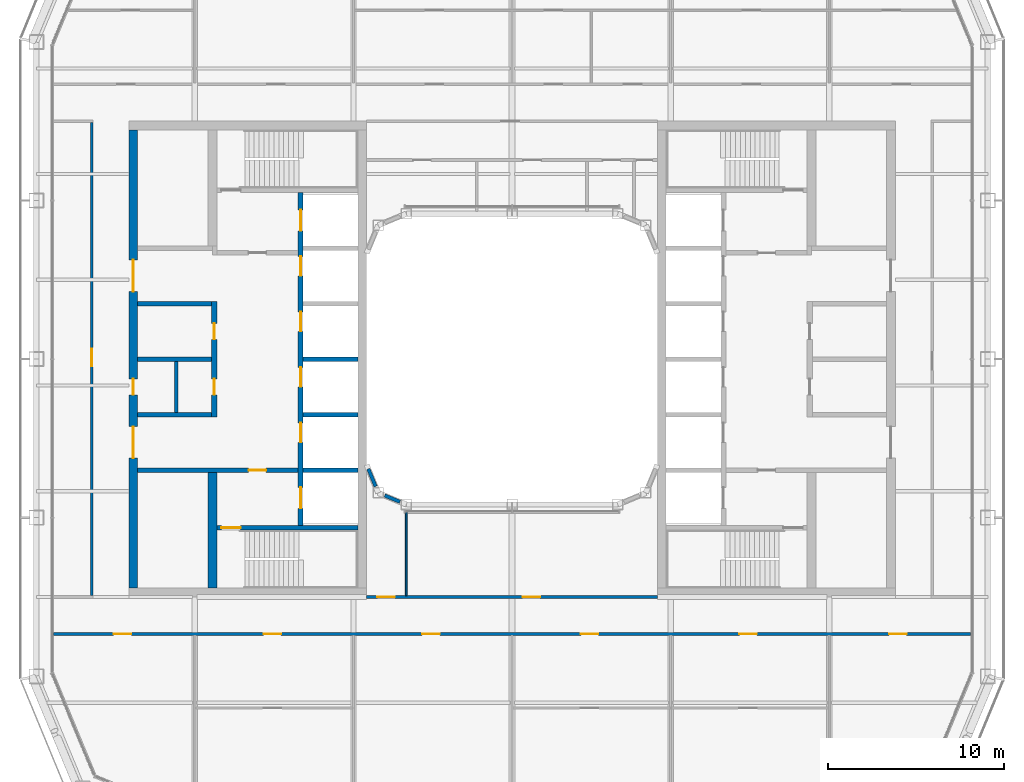
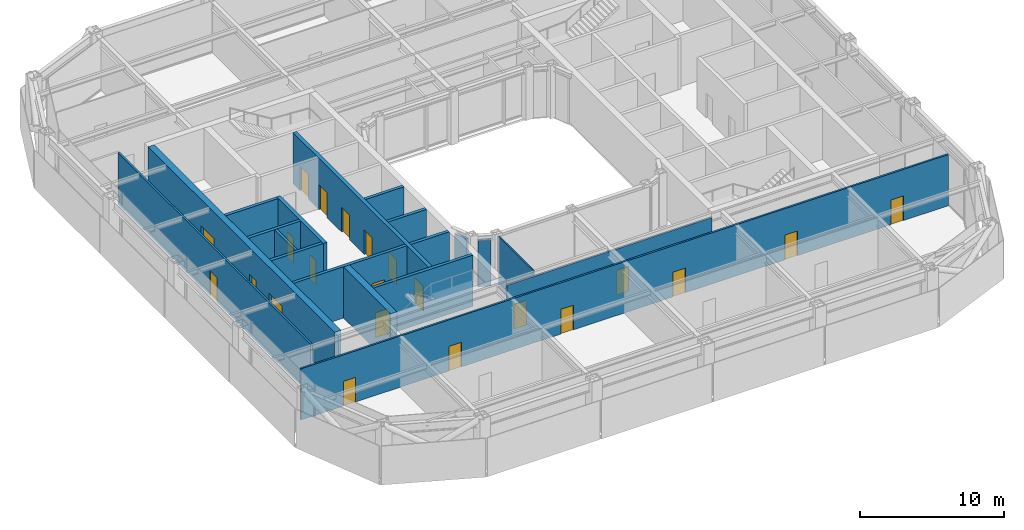
# One storey, part 12 of 19: 22 doors, 19 walls, 22 openings.
"""IFC4 building model written with IfcOpenShell, lengths in metres."""

import ifcopenshell
import ifcopenshell.guid

model = None  # the IFC model being written
_history = None  # IfcOwnerHistory: only IFC2X3 demands one
_inside = {}  # id of a spatial element -> (the spatial element, [elements in it])
_under = {}  # id of a project, library or spatial element -> (it, [spatial elements below it])
_declared = {}  # id of a project -> (the project, [libraries it declares])
_typed = {}  # id of a type object -> (the type object, [elements of that type])
_made_of = {}  # id of a material, layer set ... -> (it, [elements and type objects made of it])


def new_model(schema):
    """Start an empty IFC model of exactly this schema.

    Asked for "IFC4X3", IfcOpenShell would pick the latest addendum, in which some entities
    have other attributes; the version numbers below select the first issue.
    IFC2X3 requires an IfcOwnerHistory on every rooted entity: one is made here for all.
    """
    global model, _history
    if schema == "IFC4X3":
        model = ifcopenshell.file(schema_version=(4, 3, 0, 0))
    else:
        model = ifcopenshell.file(schema=schema)
    _inside.clear()
    _under.clear()
    _declared.clear()
    _typed.clear()
    _made_of.clear()
    _history = None
    if model.schema == "IFC2X3":
        org = make("IfcOrganization", Name="unknown")
        user = make(
            "IfcPersonAndOrganization",
            ThePerson=make("IfcPerson", FamilyName="unknown"),
            TheOrganization=org,
        )
        app = make(
            "IfcApplication",
            ApplicationDeveloper=org,
            Version="unknown",
            ApplicationFullName="unknown",
            ApplicationIdentifier="unknown",
        )
        _history = make(
            "IfcOwnerHistory",
            OwningUser=user,
            OwningApplication=app,
            ChangeAction="ADDED",
            CreationDate=0,
        )
    return model


def make(cls, **values):
    """One entity of the class cls with the attributes given. An attribute that is None is left unset."""
    return model.create_entity(
        cls, **{name: value for name, value in values.items() if value is not None}
    )


def rooted(cls, **values):
    """An entity with a GlobalId (a new one), such as an element, a storey or a relation."""
    return make(cls, GlobalId=ifcopenshell.guid.new(), OwnerHistory=_history, **values)


def si_unit(unit_type, name, prefix=None):
    """IfcSIUnit, for example si_unit("LENGTHUNIT", "METRE", prefix="MILLI")."""
    return make("IfcSIUnit", UnitType=unit_type, Prefix=prefix, Name=name)


def assignment(units):
    """IfcUnitAssignment: the units of a project."""
    return None if units is None else make("IfcUnitAssignment", Units=units)


def point(xyz):
    """IfcCartesianPoint."""
    return None if xyz is None else make("IfcCartesianPoint", Coordinates=xyz)


def direction(xyz):
    """IfcDirection."""
    return None if xyz is None else make("IfcDirection", DirectionRatios=xyz)


def frame(location, z_axis=None, x_axis=None):
    """IfcAxis2Placement3D, a coordinate frame: its origin and axes. An axis left out is left unset."""
    return make(
        "IfcAxis2Placement3D",
        Location=point(location),
        Axis=direction(z_axis),
        RefDirection=direction(x_axis),
    )


def frame_2d(location, x_axis=None):
    """IfcAxis2Placement2D, a coordinate frame in the plane: its origin and x axis."""
    return make(
        "IfcAxis2Placement2D", Location=point(location), RefDirection=direction(x_axis)
    )


def origin():
    """The frame at (0, 0, 0) with its axes left unset."""
    return frame((0.0, 0.0, 0.0))


def place(relative_to, where):
    """IfcLocalPlacement: puts the frame where relative to a parent placement (None: the world)."""
    return make(
        "IfcLocalPlacement", PlacementRelTo=relative_to, RelativePlacement=where
    )


def context(
    kind, dimensions, precision=None, world=None, true_north=None, identifier=None
):
    """IfcGeometricRepresentationContext, for example the 3D "Model" context."""
    return make(
        "IfcGeometricRepresentationContext",
        ContextIdentifier=identifier,
        ContextType=kind,
        CoordinateSpaceDimension=dimensions,
        Precision=precision,
        WorldCoordinateSystem=world,
        TrueNorth=true_north,
    )


def subcontext(parent, identifier, kind, view, scale=None):
    """IfcGeometricRepresentationSubContext, for example "Body" below "Model"."""
    return make(
        "IfcGeometricRepresentationSubContext",
        ContextIdentifier=identifier,
        ContextType=kind,
        ParentContext=parent,
        TargetScale=scale,
        TargetView=view,
    )


def project(units=None, contexts=None):
    """IfcProject with its units and contexts."""
    return rooted(
        "IfcProject",
        Name="project",
        RepresentationContexts=contexts,
        UnitsInContext=assignment(units),
    )


def spatial(cls, under=None, at=None, **own):
    """A site, building, storey or space (cls), placed at a placement, below another one or the project."""
    s = rooted(cls, ObjectPlacement=at, **own)
    if under is not None:
        _under.setdefault(under.id(), (under, []))[1].append(s)
    return s


def profile(cls, at=None, kind="AREA", **sizes):
    """A parametric profile (cls). Its sizes go by their IFC names, for example OverallWidth=200.0."""
    return make(cls, ProfileType=kind, Position=at, **sizes)


def rectangle(**sizes):
    """IfcRectangleProfileDef."""
    return profile("IfcRectangleProfileDef", **sizes)


def extrude(swept, where, along, depth):
    """IfcExtrudedAreaSolid: the profile swept, set in the frame where, extruded along a direction by depth."""
    return make(
        "IfcExtrudedAreaSolid",
        SweptArea=swept,
        Position=where,
        ExtrudedDirection=direction(along),
        Depth=depth,
    )


def shape(context_of_items, identifier, shape_type, items):
    """IfcShapeRepresentation: the items that make up one representation, for example the "Body"."""
    return make(
        "IfcShapeRepresentation",
        ContextOfItems=context_of_items,
        RepresentationIdentifier=identifier,
        RepresentationType=shape_type,
        Items=items,
    )


def material(Name=None, Category=None):
    """IfcMaterial."""
    return make("IfcMaterial", Name=Name, Category=Category)


def layer(
    of_material, thickness, ventilated=None, Name=None, Category=None, Priority=None
):
    """IfcMaterialLayer: one layer of a wall or slab, of a material (None: an air gap)."""
    return make(
        "IfcMaterialLayer",
        Material=of_material,
        LayerThickness=thickness,
        IsVentilated=ventilated,
        Name=Name,
        Category=Category,
        Priority=Priority,
    )


def layer_set(layers, Name=None):
    """IfcMaterialLayerSet."""
    return make("IfcMaterialLayerSet", MaterialLayers=layers, LayerSetName=Name)


def made_of(thing, what):
    """Note that an element or type object is made of a material, layer set ...; save() writes the relation."""
    if what is not None:
        _made_of.setdefault(what.id(), (what, []))[1].append(thing)
    return thing


def type_object(cls, material=None, **own):
    """A type object (cls), such as IfcWallType, which elements share."""
    return made_of(rooted(cls, **own), material)


def element(
    cls,
    number,
    at=None,
    inside=None,
    cuts=None,
    type_object=None,
    material=None,
    context=None,
    identifier="Body",
    shape_type=None,
    held_by="IfcProductDefinitionShape",
    body=None,
    shapes=None,
    **own,
):
    """One element of the class cls, such as IfcWall. Its Tag is "e" and its number.

    at: its placement. inside: the storey or other place that contains it. cuts: it is an
    opening in that element (IfcRelVoidsElement). A single representation is given by context,
    identifier, shape_type and body (its items); several are given by shapes. held_by: the class
    of the entity that holds the representations. save() writes the other relations.
    """
    e = rooted(cls, Tag="e%d" % number, ObjectPlacement=at, **own)
    if body is not None:
        shapes = [shape(context, identifier, shape_type, body)]
    if shapes is not None:
        e.Representation = make(held_by, Representations=shapes)
    if inside is not None:
        _inside.setdefault(inside.id(), (inside, []))[1].append(e)
    if cuts is not None:
        rooted(
            "IfcRelVoidsElement", RelatingBuildingElement=cuts, RelatedOpeningElement=e
        )
    if type_object is not None:
        _typed.setdefault(type_object.id(), (type_object, []))[1].append(e)
    return made_of(e, material)


def fill(opening, filler):
    """IfcRelFillsElement: the door or window that sits in an opening."""
    return rooted(
        "IfcRelFillsElement",
        RelatingOpeningElement=opening,
        RelatedBuildingElement=filler,
    )


def aggregate(whole, parts):
    """IfcRelAggregates: a whole, such as a stair, and the parts it consists of."""
    return rooted("IfcRelAggregates", RelatingObject=whole, RelatedObjects=parts)


def save(model, path):
    """Write the relations noted so far, then the file.

    IfcRelAggregates (storeys below a building ...), IfcRelContainedInSpatialStructure (elements
    in a storey), IfcRelDefinesByType, IfcRelAssociatesMaterial and IfcRelDeclares: one each for
    every whole, place, type object, material and project.
    """
    for whole, parts in _under.values():
        aggregate(whole, parts)
    for where, things in _inside.values():
        rooted(
            "IfcRelContainedInSpatialStructure",
            RelatedElements=things,
            RelatingStructure=where,
        )
    for kind, things in _typed.values():
        rooted("IfcRelDefinesByType", RelatedObjects=things, RelatingType=kind)
    for what, things in _made_of.values():
        rooted("IfcRelAssociatesMaterial", RelatedObjects=things, RelatingMaterial=what)
    for by, libraries in _declared.values():
        rooted("IfcRelDeclares", RelatingContext=by, RelatedDefinitions=libraries)
    model.write(path)


model = new_model("IFC4")

# Units and contexts
model_context = context("Model", 3, precision=1e-05, world=origin(), true_north=direction((0.0, 1.0)))
body_context = subcontext(model_context, "Body", "Model", "MODEL_VIEW")
ifc_project = project(units=[si_unit("LENGTHUNIT", "METRE"), si_unit("AREAUNIT", "SQUARE_METRE"), si_unit("VOLUMEUNIT", "CUBIC_METRE"), si_unit("PLANEANGLEUNIT", "RADIAN"), si_unit("MASSUNIT", "GRAM", prefix="KILO")], contexts=[model_context])

# Site, building, storey
site_placement = place(None, origin())
site = spatial("IfcSite", under=ifc_project, at=site_placement, CompositionType="ELEMENT")
building_placement = place(site_placement, origin())
building = spatial("IfcBuilding", under=site, at=building_placement, Name="Siwar Civic Tower", CompositionType="ELEMENT")
storey_placement = place(building_placement, frame((0.0, 0.0, 192.699951171875)))
storey = spatial("IfcBuildingStorey", under=building, at=storey_placement, Name="L41", CompositionType="ELEMENT", Elevation=192.699951171875)

# Wall
ifc_material_1 = material(Name="Gypsum board on steel studs", Category="steel")
ifc_layer_1 = layer(ifc_material_1, 0.199951171875)
ifc_layer_set_1 = layer_set([ifc_layer_1], Name="Gypsum board on steel studs")
wall_type_1 = type_object("IfcWallType", Name="CORE-PARTITION-200", PredefinedType="PARTITIONING", material=ifc_layer_set_1)
wall_1_placement = place(storey_placement, frame((-19.050048828125, -3.02490234375, 0.0), z_axis=(0.0, 0.0, 1.0), x_axis=(0.0, 1.0, 0.0)))
element("IfcWall", 1, at=wall_1_placement, inside=storey, type_object=wall_type_1, Name="Core partition W", PredefinedType="PARTITIONING", context=body_context, shape_type="SweptSolid", body=[
    extrude(rectangle(XDim=2.89990234375, YDim=0.199951171875, at=frame_2d((1.449951171875, 0.0))), origin(), (0.0, 0.0, 1.0), 4.35009765625),
])

# Wall, opening, door
ifc_material_2 = material(Name="Concrete C60/75", Category="concrete")
ifc_layer_2 = layer(ifc_material_2, 0.25)
ifc_layer_set_2 = layer_set([ifc_layer_2], Name="Concrete C60/75")
wall_type_2 = type_object("IfcWallType", Name="CORE-WALL-RC250", PredefinedType="SHEAR", material=ifc_layer_set_2)
wall_2_placement = place(storey_placement, frame((-12.14990234375, -6.300048828125, 0.0), z_axis=(0.0, 0.0, 1.0), x_axis=(-1.0, 0.0, 0.0)))
wall_2 = element("IfcWall", 2, at=wall_2_placement, inside=storey, type_object=wall_type_2, Name="Core wall W", PredefinedType="SHEAR", context=body_context, shape_type="SweptSolid", body=[
    extrude(rectangle(XDim=9.10009765625, YDim=0.25, at=frame_2d((4.550048828125, 0.0))), origin(), (0.0, 0.0, 1.0), 4.35009765625),
])
opening_1_placement = place(wall_2_placement, frame((1.800048828125, 0.0, 0.0)))
opening_1 = element("IfcOpeningElement", 3, at=opening_1_placement, cuts=wall_2, Name="Opening L41-CW02", PredefinedType="OPENING", context=body_context, shape_type="SweptSolid", body=[
    extrude(rectangle(XDim=1.0, YDim=2.10009765625, at=frame_2d((0.5, 1.050048828125))), frame((0.0, 0.135009765625, 0.0), z_axis=(0.0, -1.0, 0.0), x_axis=(1.0, 0.0, 0.0)), (0.0, 0.0, 1.0), 0.27001953125),
])
ifc_material_3 = material(Name="Steel door leaf", Category="steel")
door_type_1 = type_object("IfcDoorType", Name="CORE-DOOR-FD30S", OperationType="SINGLE_SWING_LEFT", PredefinedType="DOOR", material=ifc_material_3)
door_1_placement = place(opening_1_placement, origin())
door_1 = element("IfcDoor", 4, at=door_1_placement, inside=storey, type_object=door_type_1, Name="Service lobby door L41-CW02", OperationType="SINGLE_SWING_RIGHT", OverallHeight=2.10009765625, OverallWidth=1.0, PredefinedType="DOOR", context=body_context, shape_type="SweptSolid", body=[
    extrude(rectangle(XDim=1.0, YDim=2.10009765625, at=frame_2d((0.5, 1.050048828125))), frame((0.0, 0.02490234375, 0.0), z_axis=(0.0, -1.0, 0.0), x_axis=(1.0, 0.0, 0.0)), (0.0, 0.0, 1.0), 0.050048828125),
])
fill(opening_1, door_1)

# Walls
for number, where, z_axis, x_axis, name in (
    (5, (-17.050048828125, 0.0, 0.0), (0.0, 0.0, 1.0), (-1.0, 0.0, 0.0), "Core wall W"),
    (6, (-17.050048828125, 3.14990234375, 0.0), (0.0, 0.0, 1.0), (-1.0, 0.0, 0.0), "Core wall W"),
    (7, (-17.050048828125, -3.14990234375, 0.0), (0.0, 0.0, 1.0), (-1.0, 0.0, 0.0), "Core wall W"),
):
    element("IfcWall", number, at=place(storey_placement, frame(where, z_axis=z_axis, x_axis=x_axis)), inside=storey, type_object=wall_type_2, Name=name, PredefinedType="SHEAR", context=body_context, shape_type="SweptSolid", body=[
        extrude(rectangle(XDim=4.199951171875, YDim=0.25, at=frame_2d((2.10009765625, 0.0))), origin(), (0.0, 0.0, 1.0), 4.35009765625),
    ])
for number, where, z_axis, x_axis, name in (
    (8, (-8.75, 0.0, 0.0), (0.0, 0.0, 1.0), (-1.0, 0.0, 0.0), "Core wall W"),
    (9, (-8.75, -3.14990234375, 0.0), (0.0, 0.0, 1.0), (-1.0, 0.0, 0.0), "Core wall W"),
    (10, (-8.75, -6.300048828125, 0.0), (0.0, 0.0, 1.0), (-1.0, 0.0, 0.0), "Core wall W"),
):
    element("IfcWall", number, at=place(storey_placement, frame(where, z_axis=z_axis, x_axis=x_axis)), inside=storey, type_object=wall_type_2, Name=name, PredefinedType="SHEAR", context=body_context, shape_type="SweptSolid", body=[
        extrude(rectangle(XDim=3.10009765625, YDim=0.25, at=frame_2d((1.550048828125, 0.0))), origin(), (0.0, 0.0, 1.0), 4.35009765625),
    ])

# Wall, opening, door
wall_3_placement = place(storey_placement, frame((-8.75, -9.574951171875, 0.0), z_axis=(0.0, 0.0, 1.0), x_axis=(-1.0, 0.0, 0.0)))
wall_3 = element("IfcWall", 11, at=wall_3_placement, inside=storey, type_object=wall_type_2, Name="Core wall W", PredefinedType="SHEAR", context=body_context, shape_type="SweptSolid", body=[
    extrude(rectangle(XDim=8.0, YDim=0.25, at=frame_2d((4.0, 0.0))), origin(), (0.0, 0.0, 1.0), 4.35009765625),
])
opening_2_placement = place(wall_3_placement, frame((6.64990234375, 0.0, 0.0)))
opening_2 = element("IfcOpeningElement", 12, at=opening_2_placement, cuts=wall_3, Name="Opening L41-CW04", PredefinedType="OPENING", context=body_context, shape_type="SweptSolid", body=[
    extrude(rectangle(XDim=1.10009765625, YDim=2.10009765625, at=frame_2d((0.550048828125, 1.050048828125))), frame((0.0, 0.135009765625, 0.0), z_axis=(0.0, -1.0, 0.0), x_axis=(1.0, 0.0, 0.0)), (0.0, 0.0, 1.0), 0.27001953125),
])
ifc_material_4 = material(Name="Steel door leaf", Category="steel")
door_type_2 = type_object("IfcDoorType", Name="CORE-DOOR-FD60S", OperationType="SINGLE_SWING_LEFT", PredefinedType="DOOR", material=ifc_material_4)
door_2_placement = place(opening_2_placement, origin())
door_2 = element("IfcDoor", 13, at=door_2_placement, inside=storey, type_object=door_type_2, Name="Stair door L41-CW04", OperationType="SINGLE_SWING_LEFT", OverallHeight=2.10009765625, OverallWidth=1.10009765625, PredefinedType="DOOR", context=body_context, shape_type="SweptSolid", body=[
    extrude(rectangle(XDim=1.10009765625, YDim=2.10009765625, at=frame_2d((0.550048828125, 1.050048828125))), frame((0.0, 0.02490234375, 0.0), z_axis=(0.0, -1.0, 0.0), x_axis=(1.0, 0.0, 0.0)), (0.0, 0.0, 1.0), 0.050048828125),
])
fill(opening_2, door_2)

# Wall, openings, doors
ifc_material_5 = material(Name="Concrete C60/75", Category="concrete")
ifc_layer_3 = layer(ifc_material_5, 0.300048828125)
ifc_layer_set_3 = layer_set([ifc_layer_3], Name="Concrete C60/75")
wall_type_3 = type_object("IfcWallType", Name="CORE-WALL-RC300", PredefinedType="SHEAR", material=ifc_layer_set_3)
wall_4_placement = place(storey_placement, frame((-12.0, -9.449951171875, 0.0), z_axis=(0.0, 0.0, 1.0), x_axis=(0.0, 1.0, 0.0)))
wall_4 = element("IfcWall", 14, at=wall_4_placement, inside=storey, type_object=wall_type_3, Name="Core wall W", PredefinedType="SHEAR", context=body_context, shape_type="SweptSolid", body=[
    extrude(rectangle(XDim=18.89990234375, YDim=0.300048828125, at=frame_2d((9.449951171875, 0.0))), origin(), (0.0, 0.0, 1.0), 4.35009765625),
])
opening_3_placement = place(wall_4_placement, frame((4.72509765625, 0.0, 0.0)))
opening_3 = element("IfcOpeningElement", 15, at=opening_3_placement, cuts=wall_4, Name="Opening L41-CW07", PredefinedType="OPENING", context=body_context, shape_type="SweptSolid", body=[
    extrude(rectangle(XDim=1.10009765625, YDim=2.10009765625, at=frame_2d((0.550048828125, 1.050048828125))), frame((0.0, 0.16015625, 0.0), z_axis=(0.0, -1.0, 0.0), x_axis=(1.0, 0.0, 0.0)), (0.0, 0.0, 1.0), 0.320068359375),
])
opening_4_placement = place(wall_4_placement, frame((7.875, 0.0, 0.0)))
opening_4 = element("IfcOpeningElement", 16, at=opening_4_placement, cuts=wall_4, Name="Opening L41-CW08", PredefinedType="OPENING", context=body_context, shape_type="SweptSolid", body=[
    extrude(rectangle(XDim=1.10009765625, YDim=2.10009765625, at=frame_2d((0.550048828125, 1.050048828125))), frame((0.0, 0.16015625, 0.0), z_axis=(0.0, -1.0, 0.0), x_axis=(1.0, 0.0, 0.0)), (0.0, 0.0, 1.0), 0.320068359375),
])
opening_5_placement = place(wall_4_placement, frame((11.02490234375, 0.0, 0.0)))
opening_5 = element("IfcOpeningElement", 17, at=opening_5_placement, cuts=wall_4, Name="Opening L41-CW09", PredefinedType="OPENING", context=body_context, shape_type="SweptSolid", body=[
    extrude(rectangle(XDim=1.10009765625, YDim=2.10009765625, at=frame_2d((0.550048828125, 1.050048828125))), frame((0.0, 0.16015625, 0.0), z_axis=(0.0, -1.0, 0.0), x_axis=(1.0, 0.0, 0.0)), (0.0, 0.0, 1.0), 0.320068359375),
])
opening_6_placement = place(wall_4_placement, frame((14.175048828125, 0.0, 0.0)))
opening_6 = element("IfcOpeningElement", 18, at=opening_6_placement, cuts=wall_4, Name="Opening L41-CW10", PredefinedType="OPENING", context=body_context, shape_type="SweptSolid", body=[
    extrude(rectangle(XDim=1.10009765625, YDim=2.10009765625, at=frame_2d((0.550048828125, 1.050048828125))), frame((0.0, 0.16015625, 0.0), z_axis=(0.0, -1.0, 0.0), x_axis=(1.0, 0.0, 0.0)), (0.0, 0.0, 1.0), 0.320068359375),
])
opening_7_placement = place(wall_4_placement, frame((16.72509765625, 0.0, 0.0)))
opening_7 = element("IfcOpeningElement", 19, at=opening_7_placement, cuts=wall_4, Name="Opening L41-CW11", PredefinedType="OPENING", context=body_context, shape_type="SweptSolid", body=[
    extrude(rectangle(XDim=1.199951171875, YDim=2.10009765625, at=frame_2d((0.60009765625, 1.050048828125))), frame((0.0, 0.16015625, 0.0), z_axis=(0.0, -1.0, 0.0), x_axis=(1.0, 0.0, 0.0)), (0.0, 0.0, 1.0), 0.320068359375),
])
opening_8_placement = place(wall_4_placement, frame((0.97509765625, 0.0, 0.0)))
opening_8 = element("IfcOpeningElement", 20, at=opening_8_placement, cuts=wall_4, Name="Opening L41-CW12", PredefinedType="OPENING", context=body_context, shape_type="SweptSolid", body=[
    extrude(rectangle(XDim=1.199951171875, YDim=2.10009765625, at=frame_2d((0.60009765625, 1.050048828125))), frame((0.0, 0.16015625, 0.0), z_axis=(0.0, -1.0, 0.0), x_axis=(1.0, 0.0, 0.0)), (0.0, 0.0, 1.0), 0.320068359375),
])
ifc_material_6 = material(Name="Steel door leaf", Category="steel")
door_type_3 = type_object("IfcDoorType", Name="CORE-DOOR-LD", OperationType="DOUBLE_DOOR_SLIDING", PredefinedType="DOOR", material=ifc_material_6)
door_3_placement = place(opening_3_placement, origin())
door_3 = element("IfcDoor", 21, at=door_3_placement, inside=storey, type_object=door_type_3, Name="Landing door HR1 L41-CW07", OperationType="DOUBLE_DOOR_SLIDING", OverallHeight=2.10009765625, OverallWidth=1.10009765625, PredefinedType="DOOR", context=body_context, shape_type="SweptSolid", body=[
    extrude(rectangle(XDim=1.10009765625, YDim=2.10009765625, at=frame_2d((0.550048828125, 1.050048828125))), frame((0.0, 0.02490234375, 0.0), z_axis=(0.0, -1.0, 0.0), x_axis=(1.0, 0.0, 0.0)), (0.0, 0.0, 1.0), 0.050048828125),
])
fill(opening_3, door_3)
door_4_placement = place(opening_4_placement, origin())
door_4 = element("IfcDoor", 22, at=door_4_placement, inside=storey, type_object=door_type_3, Name="Landing door HR2 L41-CW08", OperationType="DOUBLE_DOOR_SLIDING", OverallHeight=2.10009765625, OverallWidth=1.10009765625, PredefinedType="DOOR", context=body_context, shape_type="SweptSolid", body=[
    extrude(rectangle(XDim=1.10009765625, YDim=2.10009765625, at=frame_2d((0.550048828125, 1.050048828125))), frame((0.0, 0.02490234375, 0.0), z_axis=(0.0, -1.0, 0.0), x_axis=(1.0, 0.0, 0.0)), (0.0, 0.0, 1.0), 0.050048828125),
])
fill(opening_4, door_4)
door_5_placement = place(opening_5_placement, origin())
door_5 = element("IfcDoor", 23, at=door_5_placement, inside=storey, type_object=door_type_3, Name="Landing door HR3 L41-CW09", OperationType="DOUBLE_DOOR_SLIDING", OverallHeight=2.10009765625, OverallWidth=1.10009765625, PredefinedType="DOOR", context=body_context, shape_type="SweptSolid", body=[
    extrude(rectangle(XDim=1.10009765625, YDim=2.10009765625, at=frame_2d((0.550048828125, 1.050048828125))), frame((0.0, 0.02490234375, 0.0), z_axis=(0.0, -1.0, 0.0), x_axis=(1.0, 0.0, 0.0)), (0.0, 0.0, 1.0), 0.050048828125),
])
fill(opening_5, door_5)
door_6_placement = place(opening_6_placement, origin())
door_6 = element("IfcDoor", 24, at=door_6_placement, inside=storey, type_object=door_type_3, Name="Landing door HR4 L41-CW10", OperationType="DOUBLE_DOOR_SLIDING", OverallHeight=2.10009765625, OverallWidth=1.10009765625, PredefinedType="DOOR", context=body_context, shape_type="SweptSolid", body=[
    extrude(rectangle(XDim=1.10009765625, YDim=2.10009765625, at=frame_2d((0.550048828125, 1.050048828125))), frame((0.0, 0.02490234375, 0.0), z_axis=(0.0, -1.0, 0.0), x_axis=(1.0, 0.0, 0.0)), (0.0, 0.0, 1.0), 0.050048828125),
])
fill(opening_6, door_6)
ifc_material_7 = material(Name="Steel door leaf", Category="steel")
door_type_4 = type_object("IfcDoorType", Name="CORE-DOOR-LDW", OperationType="DOUBLE_DOOR_SLIDING", PredefinedType="DOOR", material=ifc_material_7)
door_7_placement = place(opening_7_placement, origin())
door_7 = element("IfcDoor", 25, at=door_7_placement, inside=storey, type_object=door_type_4, Name="Landing door FF1 L41-CW11", OperationType="DOUBLE_DOOR_SLIDING", OverallHeight=2.10009765625, OverallWidth=1.199951171875, PredefinedType="DOOR", context=body_context, shape_type="SweptSolid", body=[
    extrude(rectangle(XDim=1.199951171875, YDim=2.10009765625, at=frame_2d((0.60009765625, 1.050048828125))), frame((0.0, 0.02490234375, 0.0), z_axis=(0.0, -1.0, 0.0), x_axis=(1.0, 0.0, 0.0)), (0.0, 0.0, 1.0), 0.050048828125),
])
fill(opening_7, door_7)
door_8_placement = place(opening_8_placement, origin())
door_8 = element("IfcDoor", 26, at=door_8_placement, inside=storey, type_object=door_type_4, Name="Landing door SV1 L41-CW12", OperationType="DOUBLE_DOOR_SLIDING", OverallHeight=2.10009765625, OverallWidth=1.199951171875, PredefinedType="DOOR", context=body_context, shape_type="SweptSolid", body=[
    extrude(rectangle(XDim=1.199951171875, YDim=2.10009765625, at=frame_2d((0.60009765625, 1.050048828125))), frame((0.0, 0.02490234375, 0.0), z_axis=(0.0, -1.0, 0.0), x_axis=(1.0, 0.0, 0.0)), (0.0, 0.0, 1.0), 0.050048828125),
])
fill(opening_8, door_8)

wall_5_placement = place(storey_placement, frame((-16.89990234375, -3.27490234375, 0.0), z_axis=(0.0, 0.0, 1.0), x_axis=(0.0, 1.0, 0.0)))
wall_5 = element("IfcWall", 27, at=wall_5_placement, inside=storey, type_object=wall_type_3, Name="Core wall W", PredefinedType="SHEAR", context=body_context, shape_type="SweptSolid", body=[
    extrude(rectangle(XDim=6.5498046875, YDim=0.300048828125, at=frame_2d((3.27490234375, 0.0))), origin(), (0.0, 0.0, 1.0), 4.35009765625),
])
opening_9_placement = place(wall_5_placement, frame((1.25, 0.0, 0.0)))
opening_9 = element("IfcOpeningElement", 28, at=opening_9_placement, cuts=wall_5, Name="Opening L41-CW13", PredefinedType="OPENING", context=body_context, shape_type="SweptSolid", body=[
    extrude(rectangle(XDim=0.89990234375, YDim=2.10009765625, at=frame_2d((0.449951171875, 1.050048828125))), frame((0.0, 0.16015625, 0.0), z_axis=(0.0, -1.0, 0.0), x_axis=(1.0, 0.0, 0.0)), (0.0, 0.0, 1.0), 0.320068359375),
])
opening_10_placement = place(wall_5_placement, frame((4.39990234375, 0.0, 0.0)))
opening_10 = element("IfcOpeningElement", 29, at=opening_10_placement, cuts=wall_5, Name="Opening L41-CW15", PredefinedType="OPENING", context=body_context, shape_type="SweptSolid", body=[
    extrude(rectangle(XDim=0.89990234375, YDim=2.10009765625, at=frame_2d((0.449951171875, 1.050048828125))), frame((0.0, 0.16015625, 0.0), z_axis=(0.0, -1.0, 0.0), x_axis=(1.0, 0.0, 0.0)), (0.0, 0.0, 1.0), 0.320068359375),
])
ifc_material_8 = material(Name="Steel door leaf", Category="steel")
door_type_5 = type_object("IfcDoorType", Name="CORE-DOOR-ROOM", OperationType="SINGLE_SWING_LEFT", PredefinedType="DOOR", material=ifc_material_8)
door_9_placement = place(opening_9_placement, origin())
door_9 = element("IfcDoor", 30, at=door_9_placement, inside=storey, type_object=door_type_5, Name="Core room door L41-CW13", OperationType="SINGLE_SWING_LEFT", OverallHeight=2.10009765625, OverallWidth=0.89990234375, PredefinedType="DOOR", context=body_context, shape_type="SweptSolid", body=[
    extrude(rectangle(XDim=0.89990234375, YDim=2.10009765625, at=frame_2d((0.449951171875, 1.050048828125))), frame((0.0, 0.02490234375, 0.0), z_axis=(0.0, -1.0, 0.0), x_axis=(1.0, 0.0, 0.0)), (0.0, 0.0, 1.0), 0.050048828125),
])
fill(opening_9, door_9)
door_10_placement = place(opening_10_placement, origin())
door_10 = element("IfcDoor", 31, at=door_10_placement, inside=storey, type_object=door_type_5, Name="Core room door L41-CW15", OperationType="SINGLE_SWING_RIGHT", OverallHeight=2.10009765625, OverallWidth=0.89990234375, PredefinedType="DOOR", context=body_context, shape_type="SweptSolid", body=[
    extrude(rectangle(XDim=0.89990234375, YDim=2.10009765625, at=frame_2d((0.449951171875, 1.050048828125))), frame((0.0, 0.02490234375, 0.0), z_axis=(0.0, -1.0, 0.0), x_axis=(1.0, 0.0, 0.0)), (0.0, 0.0, 1.0), 0.050048828125),
])
fill(opening_10, door_10)

ifc_material_9 = material(Name="Concrete C60/75", Category="concrete")
ifc_layer_4 = layer(ifc_material_9, 0.5)
ifc_layer_set_4 = layer_set([ifc_layer_4], Name="Concrete C60/75")
wall_type_4 = type_object("IfcWallType", Name="CORE-WALL-RC500", PredefinedType="SHEAR", material=ifc_layer_set_4)
wall_6_placement = place(storey_placement, frame((-21.5, -13.0, 0.0), z_axis=(0.0, 0.0, 1.0), x_axis=(0.0, 1.0, 0.0)))
wall_6 = element("IfcWall", 32, at=wall_6_placement, inside=storey, type_object=wall_type_4, Name="Core wall W", PredefinedType="SHEAR", context=body_context, shape_type="SweptSolid", body=[
    extrude(rectangle(XDim=26.0, YDim=0.5, at=frame_2d((13.0, 0.0))), origin(), (0.0, 0.0, 1.0), 4.35009765625),
])
opening_11_placement = place(wall_6_placement, frame((16.824951171875, 0.0, 0.0)))
opening_11 = element("IfcOpeningElement", 33, at=opening_11_placement, cuts=wall_6, Name="Opening L41-CW05", PredefinedType="OPENING", context=body_context, shape_type="SweptSolid", body=[
    extrude(rectangle(XDim=1.800048828125, YDim=2.10009765625, at=frame_2d((0.89990234375, 1.050048828125))), frame((0.0, 0.260009765625, 0.0), z_axis=(0.0, -1.0, 0.0), x_axis=(1.0, 0.0, 0.0)), (0.0, 0.0, 1.0), 0.52001953125),
])
opening_12_placement = place(wall_6_placement, frame((7.375, 0.0, 0.0)))
opening_12 = element("IfcOpeningElement", 34, at=opening_12_placement, cuts=wall_6, Name="Opening L41-CW06", PredefinedType="OPENING", context=body_context, shape_type="SweptSolid", body=[
    extrude(rectangle(XDim=1.800048828125, YDim=2.10009765625, at=frame_2d((0.89990234375, 1.050048828125))), frame((0.0, 0.260009765625, 0.0), z_axis=(0.0, -1.0, 0.0), x_axis=(1.0, 0.0, 0.0)), (0.0, 0.0, 1.0), 0.52001953125),
])
opening_13_placement = place(wall_6_placement, frame((10.97509765625, 0.0, 0.0)))
opening_13 = element("IfcOpeningElement", 35, at=opening_13_placement, cuts=wall_6, Name="Opening L41-CW14", PredefinedType="OPENING", context=body_context, shape_type="SweptSolid", body=[
    extrude(rectangle(XDim=0.89990234375, YDim=2.10009765625, at=frame_2d((0.449951171875, 1.050048828125))), frame((0.0, 0.260009765625, 0.0), z_axis=(0.0, -1.0, 0.0), x_axis=(1.0, 0.0, 0.0)), (0.0, 0.0, 1.0), 0.52001953125),
])
ifc_material_10 = material(Name="Steel door leaf", Category="steel")
door_type_6 = type_object("IfcDoorType", Name="CORE-DOOR-PORT", OperationType="DOUBLE_DOOR_DOUBLE_SWING", PredefinedType="DOOR", material=ifc_material_10)
door_11_placement = place(opening_11_placement, origin())
door_11 = element("IfcDoor", 36, at=door_11_placement, inside=storey, type_object=door_type_6, Name="Core entrance door L41-CW05", OperationType="DOUBLE_DOOR_DOUBLE_SWING", OverallHeight=2.10009765625, OverallWidth=1.800048828125, PredefinedType="DOOR", context=body_context, shape_type="SweptSolid", body=[
    extrude(rectangle(XDim=1.800048828125, YDim=2.10009765625, at=frame_2d((0.89990234375, 1.050048828125))), frame((0.0, 0.02490234375, 0.0), z_axis=(0.0, -1.0, 0.0), x_axis=(1.0, 0.0, 0.0)), (0.0, 0.0, 1.0), 0.050048828125),
])
fill(opening_11, door_11)
door_12_placement = place(opening_12_placement, origin())
door_12 = element("IfcDoor", 37, at=door_12_placement, inside=storey, type_object=door_type_6, Name="Core entrance door L41-CW06", OperationType="DOUBLE_DOOR_DOUBLE_SWING", OverallHeight=2.10009765625, OverallWidth=1.800048828125, PredefinedType="DOOR", context=body_context, shape_type="SweptSolid", body=[
    extrude(rectangle(XDim=1.800048828125, YDim=2.10009765625, at=frame_2d((0.89990234375, 1.050048828125))), frame((0.0, 0.02490234375, 0.0), z_axis=(0.0, -1.0, 0.0), x_axis=(1.0, 0.0, 0.0)), (0.0, 0.0, 1.0), 0.050048828125),
])
fill(opening_12, door_12)
door_13_placement = place(opening_13_placement, origin())
door_13 = element("IfcDoor", 38, at=door_13_placement, inside=storey, type_object=door_type_5, Name="Core room door L41-CW14", OperationType="SINGLE_SWING_RIGHT", OverallHeight=2.10009765625, OverallWidth=0.89990234375, PredefinedType="DOOR", context=body_context, shape_type="SweptSolid", body=[
    extrude(rectangle(XDim=0.89990234375, YDim=2.10009765625, at=frame_2d((0.449951171875, 1.050048828125))), frame((0.0, 0.02490234375, 0.0), z_axis=(0.0, -1.0, 0.0), x_axis=(1.0, 0.0, 0.0)), (0.0, 0.0, 1.0), 0.050048828125),
])
fill(opening_13, door_13)

# Wall
wall_7_placement = place(storey_placement, frame((-17.0, -13.0, 0.0), z_axis=(0.0, 0.0, 1.0), x_axis=(0.0, 1.0, 0.0)))
element("IfcWall", 39, at=wall_7_placement, inside=storey, type_object=wall_type_4, Name="Core wall W", PredefinedType="SHEAR", context=body_context, shape_type="SweptSolid", body=[
    extrude(rectangle(XDim=6.574951171875, YDim=0.5, at=frame_2d((3.28759765625, 0.0))), origin(), (0.0, 0.0, 1.0), 4.35009765625),
])

# Wall, openings, doors
ifc_material_11 = material(Name="Gypsum board on steel studs", Category="steel")
ifc_layer_5 = layer(ifc_material_11, 0.14990234375)
ifc_layer_set_5 = layer_set([ifc_layer_5], Name="Gypsum board on steel studs")
wall_type_5 = type_object("IfcWallType", Name="CORRIDOR PARTITION 150 EI 30", PredefinedType="PARTITIONING", material=ifc_layer_set_5)
wall_8_placement = place(storey_placement, frame((-26.010009765625, -15.60009765625, 0.0), z_axis=(0.0, 0.0, 1.0), x_axis=(1.0, 0.0, 0.0)))
wall_8 = element("IfcWall", 40, at=wall_8_placement, inside=storey, type_object=wall_type_5, Name="L41/wall/P03", PredefinedType="PARTITIONING", context=body_context, shape_type="SweptSolid", body=[
    extrude(rectangle(XDim=52.02001953125, YDim=0.14990234375, at=frame_2d((26.010009765625, 0.0))), origin(), (0.0, 0.0, 1.0), 4.35009765625),
])
opening_14_placement = place(wall_8_placement, frame((11.909912109375, 0.0, 0.0)))
opening_14 = element("IfcOpeningElement", 41, at=opening_14_placement, cuts=wall_8, Name="Opening D1", PredefinedType="OPENING", context=body_context, shape_type="SweptSolid", body=[
    extrude(rectangle(XDim=1.0, YDim=2.10009765625, at=frame_2d((0.5, 1.050048828125))), frame((0.0, 0.0849609375, 0.0), z_axis=(0.0, -1.0, 0.0), x_axis=(1.0, 0.0, 0.0)), (0.0, 0.0, 1.0), 0.169921875),
])
opening_15_placement = place(wall_8_placement, frame((20.909912109375, 0.0, 0.0)))
opening_15 = element("IfcOpeningElement", 42, at=opening_15_placement, cuts=wall_8, Name="Opening D1", PredefinedType="OPENING", context=body_context, shape_type="SweptSolid", body=[
    extrude(rectangle(XDim=1.0, YDim=2.10009765625, at=frame_2d((0.5, 1.050048828125))), frame((0.0, 0.0849609375, 0.0), z_axis=(0.0, -1.0, 0.0), x_axis=(1.0, 0.0, 0.0)), (0.0, 0.0, 1.0), 0.169921875),
])
opening_16_placement = place(wall_8_placement, frame((29.909912109375, 0.0, 0.0)))
opening_16 = element("IfcOpeningElement", 43, at=opening_16_placement, cuts=wall_8, Name="Opening D1", PredefinedType="OPENING", context=body_context, shape_type="SweptSolid", body=[
    extrude(rectangle(XDim=1.0, YDim=2.10009765625, at=frame_2d((0.5, 1.050048828125))), frame((0.0, 0.0849609375, 0.0), z_axis=(0.0, -1.0, 0.0), x_axis=(1.0, 0.0, 0.0)), (0.0, 0.0, 1.0), 0.169921875),
])
opening_17_placement = place(wall_8_placement, frame((38.909912109375, 0.0, 0.0)))
opening_17 = element("IfcOpeningElement", 44, at=opening_17_placement, cuts=wall_8, Name="Opening D1", PredefinedType="OPENING", context=body_context, shape_type="SweptSolid", body=[
    extrude(rectangle(XDim=1.0, YDim=2.10009765625, at=frame_2d((0.5, 1.050048828125))), frame((0.0, 0.0849609375, 0.0), z_axis=(0.0, -1.0, 0.0), x_axis=(1.0, 0.0, 0.0)), (0.0, 0.0, 1.0), 0.169921875),
])
opening_18_placement = place(wall_8_placement, frame((3.39990234375, 0.0, 0.0)))
opening_18 = element("IfcOpeningElement", 45, at=opening_18_placement, cuts=wall_8, Name="Opening D1", PredefinedType="OPENING", context=body_context, shape_type="SweptSolid", body=[
    extrude(rectangle(XDim=1.0, YDim=2.10009765625, at=frame_2d((0.5, 1.050048828125))), frame((0.0, 0.0849609375, 0.0), z_axis=(0.0, -1.0, 0.0), x_axis=(1.0, 0.0, 0.0)), (0.0, 0.0, 1.0), 0.169921875),
])
opening_19_placement = place(wall_8_placement, frame((47.409912109375, 0.0, 0.0)))
opening_19 = element("IfcOpeningElement", 46, at=opening_19_placement, cuts=wall_8, Name="Opening D1", PredefinedType="OPENING", context=body_context, shape_type="SweptSolid", body=[
    extrude(rectangle(XDim=1.0, YDim=2.10009765625, at=frame_2d((0.5, 1.050048828125))), frame((0.0, 0.0849609375, 0.0), z_axis=(0.0, -1.0, 0.0), x_axis=(1.0, 0.0, 0.0)), (0.0, 0.0, 1.0), 0.169921875),
])
ifc_material_12 = material(Name="Timber, painted", Category="wood")
door_type_7 = type_object("IfcDoorType", Name="DOOR 1000 X 2100 FD30", OperationType="SINGLE_SWING_LEFT", PredefinedType="DOOR", material=ifc_material_12)
door_14_placement = place(opening_14_placement, origin())
door_14 = element("IfcDoor", 47, at=door_14_placement, inside=storey, type_object=door_type_7, Name="L41-D09", OperationType="SINGLE_SWING_LEFT", OverallHeight=2.10009765625, OverallWidth=1.0, PredefinedType="DOOR", context=body_context, shape_type="SweptSolid", body=[
    extrude(rectangle(XDim=1.0, YDim=2.10009765625, at=frame_2d((0.5, 1.050048828125))), frame((0.0, 0.02490234375, 0.0), z_axis=(0.0, -1.0, 0.0), x_axis=(1.0, 0.0, 0.0)), (0.0, 0.0, 1.0), 0.050048828125),
])
fill(opening_14, door_14)
door_15_placement = place(opening_15_placement, origin())
door_15 = element("IfcDoor", 48, at=door_15_placement, inside=storey, type_object=door_type_7, Name="L41-D11", OperationType="SINGLE_SWING_LEFT", OverallHeight=2.10009765625, OverallWidth=1.0, PredefinedType="DOOR", context=body_context, shape_type="SweptSolid", body=[
    extrude(rectangle(XDim=1.0, YDim=2.10009765625, at=frame_2d((0.5, 1.050048828125))), frame((0.0, 0.02490234375, 0.0), z_axis=(0.0, -1.0, 0.0), x_axis=(1.0, 0.0, 0.0)), (0.0, 0.0, 1.0), 0.050048828125),
])
fill(opening_15, door_15)
door_16_placement = place(opening_16_placement, origin())
door_16 = element("IfcDoor", 49, at=door_16_placement, inside=storey, type_object=door_type_7, Name="L41-D12", OperationType="SINGLE_SWING_RIGHT", OverallHeight=2.10009765625, OverallWidth=1.0, PredefinedType="DOOR", context=body_context, shape_type="SweptSolid", body=[
    extrude(rectangle(XDim=1.0, YDim=2.10009765625, at=frame_2d((0.5, 1.050048828125))), frame((0.0, 0.02490234375, 0.0), z_axis=(0.0, -1.0, 0.0), x_axis=(1.0, 0.0, 0.0)), (0.0, 0.0, 1.0), 0.050048828125),
])
fill(opening_16, door_16)
door_17_placement = place(opening_17_placement, origin())
door_17 = element("IfcDoor", 50, at=door_17_placement, inside=storey, type_object=door_type_7, Name="L41-D14", OperationType="SINGLE_SWING_RIGHT", OverallHeight=2.10009765625, OverallWidth=1.0, PredefinedType="DOOR", context=body_context, shape_type="SweptSolid", body=[
    extrude(rectangle(XDim=1.0, YDim=2.10009765625, at=frame_2d((0.5, 1.050048828125))), frame((0.0, 0.02490234375, 0.0), z_axis=(0.0, -1.0, 0.0), x_axis=(1.0, 0.0, 0.0)), (0.0, 0.0, 1.0), 0.050048828125),
])
fill(opening_17, door_17)
door_18_placement = place(opening_18_placement, origin())
door_18 = element("IfcDoor", 51, at=door_18_placement, inside=storey, type_object=door_type_7, Name="L41-D20", OperationType="SINGLE_SWING_RIGHT", OverallHeight=2.10009765625, OverallWidth=1.0, PredefinedType="DOOR", context=body_context, shape_type="SweptSolid", body=[
    extrude(rectangle(XDim=1.0, YDim=2.10009765625, at=frame_2d((0.5, 1.050048828125))), frame((0.0, 0.02490234375, 0.0), z_axis=(0.0, -1.0, 0.0), x_axis=(1.0, 0.0, 0.0)), (0.0, 0.0, 1.0), 0.050048828125),
])
fill(opening_18, door_18)
door_19_placement = place(opening_19_placement, origin())
door_19 = element("IfcDoor", 52, at=door_19_placement, inside=storey, type_object=door_type_7, Name="L41-D21", OperationType="SINGLE_SWING_LEFT", OverallHeight=2.10009765625, OverallWidth=1.0, PredefinedType="DOOR", context=body_context, shape_type="SweptSolid", body=[
    extrude(rectangle(XDim=1.0, YDim=2.10009765625, at=frame_2d((0.5, 1.050048828125))), frame((0.0, 0.02490234375, 0.0), z_axis=(0.0, -1.0, 0.0), x_axis=(1.0, 0.0, 0.0)), (0.0, 0.0, 1.0), 0.050048828125),
])
fill(opening_19, door_19)

wall_9_placement = place(storey_placement, frame((-8.25, -13.5, 0.0), z_axis=(0.0, 0.0, 1.0), x_axis=(1.0, 0.0, 0.0)))
wall_9 = element("IfcWall", 53, at=wall_9_placement, inside=storey, type_object=wall_type_5, Name="L41/wall/P05", PredefinedType="PARTITIONING", context=body_context, shape_type="SweptSolid", body=[
    extrude(rectangle(XDim=16.5, YDim=0.14990234375, at=frame_2d((8.25, 0.0))), origin(), (0.0, 0.0, 1.0), 3.949951171875),
])
opening_20_placement = place(wall_9_placement, frame((0.60009765625, 0.0, 0.0)))
opening_20 = element("IfcOpeningElement", 54, at=opening_20_placement, cuts=wall_9, Name="Opening D3", PredefinedType="OPENING", context=body_context, shape_type="SweptSolid", body=[
    extrude(rectangle(XDim=1.0, YDim=2.10009765625, at=frame_2d((0.5, 1.050048828125))), frame((0.0, 0.0849609375, 0.0), z_axis=(0.0, -1.0, 0.0), x_axis=(1.0, 0.0, 0.0)), (0.0, 0.0, 1.0), 0.169921875),
])
opening_21_placement = place(wall_9_placement, frame((8.85009765625, 0.0, 0.0)))
opening_21 = element("IfcOpeningElement", 55, at=opening_21_placement, cuts=wall_9, Name="Opening D1", PredefinedType="OPENING", context=body_context, shape_type="SweptSolid", body=[
    extrude(rectangle(XDim=1.0, YDim=2.10009765625, at=frame_2d((0.5, 1.050048828125))), frame((0.0, 0.0849609375, 0.0), z_axis=(0.0, -1.0, 0.0), x_axis=(1.0, 0.0, 0.0)), (0.0, 0.0, 1.0), 0.169921875),
])
door_20_placement = place(opening_21_placement, origin())
door_20 = element("IfcDoor", 56, at=door_20_placement, inside=storey, type_object=door_type_7, Name="L41-D30", OperationType="SINGLE_SWING_RIGHT", OverallHeight=2.10009765625, OverallWidth=1.0, PredefinedType="DOOR", context=body_context, shape_type="SweptSolid", body=[
    extrude(rectangle(XDim=1.0, YDim=2.10009765625, at=frame_2d((0.5, 1.050048828125))), frame((0.0, 0.02490234375, 0.0), z_axis=(0.0, -1.0, 0.0), x_axis=(1.0, 0.0, 0.0)), (0.0, 0.0, 1.0), 0.050048828125),
])
fill(opening_21, door_20)
ifc_material_13 = material(Name="Timber, painted", Category="wood")
door_type_8 = type_object("IfcDoorType", Name="DOOR 1000 X 2100 WC", OperationType="SINGLE_SWING_LEFT", PredefinedType="DOOR", material=ifc_material_13)
door_21_placement = place(opening_20_placement, origin())
door_21 = element("IfcDoor", 57, at=door_21_placement, inside=storey, type_object=door_type_8, Name="L41-D29", OperationType="SINGLE_SWING_LEFT", OverallHeight=2.10009765625, OverallWidth=1.0, PredefinedType="DOOR", context=body_context, shape_type="SweptSolid", body=[
    extrude(rectangle(XDim=1.0, YDim=2.10009765625, at=frame_2d((0.5, 1.050048828125))), frame((0.0, 0.02490234375, 0.0), z_axis=(0.0, -1.0, 0.0), x_axis=(1.0, 0.0, 0.0)), (0.0, 0.0, 1.0), 0.050048828125),
])
fill(opening_20, door_21)

# Wall, opening, door
wall_10_placement = place(storey_placement, frame((-23.85009765625, -13.425048828125, 0.0), z_axis=(0.0, 0.0, 1.0), x_axis=(0.0, 1.0, 0.0)))
wall_10 = element("IfcWall", 58, at=wall_10_placement, inside=storey, type_object=wall_type_5, Name="L41/wall/P15", PredefinedType="PARTITIONING", context=body_context, shape_type="SweptSolid", body=[
    extrude(rectangle(XDim=26.85009765625, YDim=0.14990234375, at=frame_2d((13.425048828125, 0.0))), origin(), (0.0, 0.0, 1.0), 4.35009765625),
])
opening_22_placement = place(wall_10_placement, frame((13.02490234375, 0.0, 0.0)))
opening_22 = element("IfcOpeningElement", 59, at=opening_22_placement, cuts=wall_10, Name="Opening D1", PredefinedType="OPENING", context=body_context, shape_type="SweptSolid", body=[
    extrude(rectangle(XDim=1.0, YDim=2.10009765625, at=frame_2d((0.5, 1.050048828125))), frame((0.0, 0.0849609375, 0.0), z_axis=(0.0, -1.0, 0.0), x_axis=(1.0, 0.0, 0.0)), (0.0, 0.0, 1.0), 0.169921875),
])
door_22_placement = place(opening_22_placement, origin())
door_22 = element("IfcDoor", 60, at=door_22_placement, inside=storey, type_object=door_type_7, Name="L41-D22", OperationType="SINGLE_SWING_RIGHT", OverallHeight=2.10009765625, OverallWidth=1.0, PredefinedType="DOOR", context=body_context, shape_type="SweptSolid", body=[
    extrude(rectangle(XDim=1.0, YDim=2.10009765625, at=frame_2d((0.5, 1.050048828125))), frame((0.0, 0.02490234375, 0.0), z_axis=(0.0, -1.0, 0.0), x_axis=(1.0, 0.0, 0.0)), (0.0, 0.0, 1.0), 0.050048828125),
])
fill(opening_22, door_22)

# Walls
ifc_material_14 = material(Name="Aluminium clad insulated panel", Category="aluminium")
ifc_layer_6 = layer(ifc_material_14, 0.199951171875)
ifc_layer_set_6 = layer_set([ifc_layer_6], Name="Aluminium clad insulated panel")
wall_type_6 = type_object("IfcWallType", Name="ENV-WALL-WELL", PredefinedType="STANDARD", material=ifc_layer_set_6)
wall_11_placement = place(storey_placement, frame((-8.154296875, -6.23095703125, 0.0), z_axis=(0.0, 0.0, 1.0), x_axis=(0.382704496366, -0.923870807235, 0.0)))
element("IfcWall", 61, at=wall_11_placement, inside=storey, type_object=wall_type_6, Name="Light well corner wall SW1", PredefinedType="STANDARD", context=body_context, shape_type="SweptSolid", body=[
    extrude(rectangle(XDim=1.080078125, YDim=0.199951171875, at=frame_2d((0.5400390625, 0.0))), origin(), (0.0, 0.0, 1.0), 3.91796875),
])
wall_12_placement = place(storey_placement, frame((-7.228759765625, -7.740966796875, 0.0), z_axis=(0.0, 0.0, 1.0), x_axis=(0.923829670615, -0.382803787458, 0.0)))
element("IfcWall", 62, at=wall_12_placement, inside=storey, type_object=wall_type_6, Name="Light well corner wall SW2", PredefinedType="STANDARD", context=body_context, shape_type="SweptSolid", body=[
    extrude(rectangle(XDim=0.938232421875, YDim=0.199951171875, at=frame_2d((0.46923828125, 0.0))), origin(), (0.0, 0.0, 1.0), 3.91796875),
])
ifc_material_15 = material(Name="Gypsum board on steel studs", Category="steel")
ifc_layer_7 = layer(ifc_material_15, 0.10009765625)
ifc_layer_set_7 = layer_set([ifc_layer_7], Name="Gypsum board on steel studs")
wall_type_7 = type_object("IfcWallType", Name="PARTITION 100 GYPSUM", PredefinedType="PARTITIONING", material=ifc_layer_set_7)
wall_13_placement = place(storey_placement, frame((-6.0, -13.425048828125, 0.0), z_axis=(0.0, 0.0, 1.0), x_axis=(0.0, 1.0, 0.0)))
element("IfcWall", 63, at=wall_13_placement, inside=storey, type_object=wall_type_7, Name="L41/wall/P20", PredefinedType="PARTITIONING", context=body_context, shape_type="SweptSolid", body=[
    extrude(rectangle(XDim=4.824951171875, YDim=0.10009765625, at=frame_2d((2.41259765625, 0.0))), origin(), (0.0, 0.0, 1.0), 4.35009765625),
])

save(model, "model.ifc")
